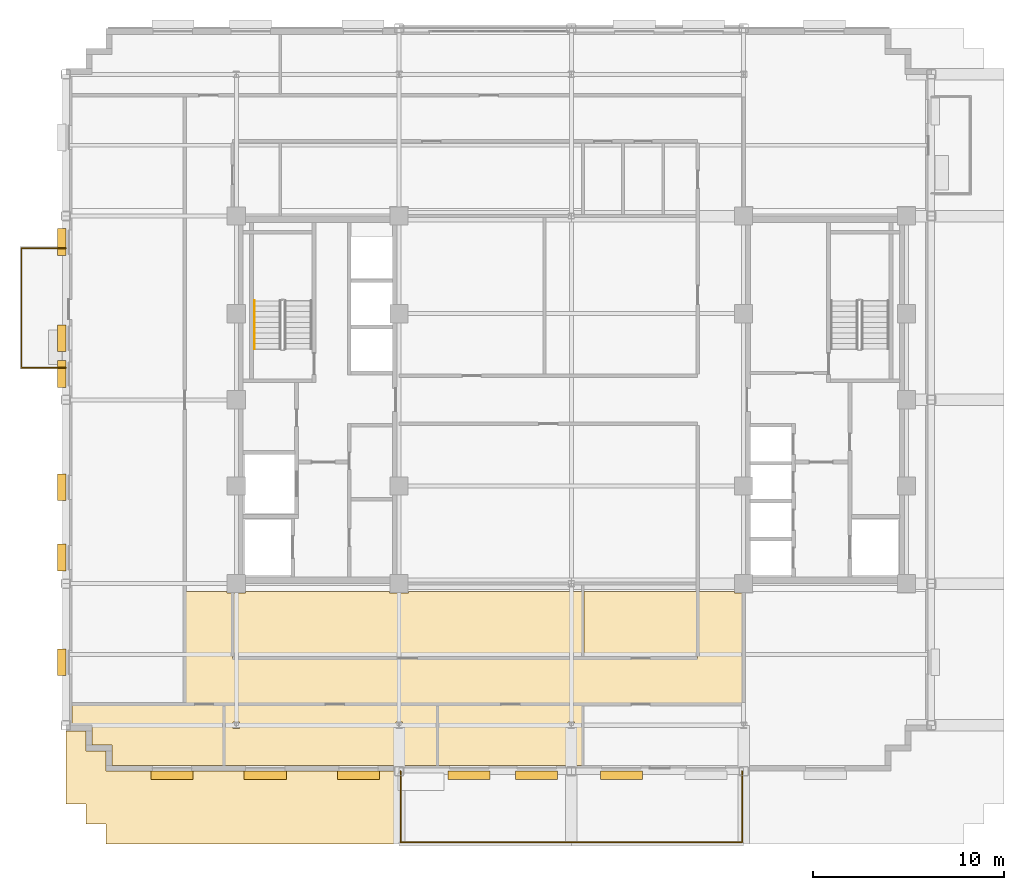
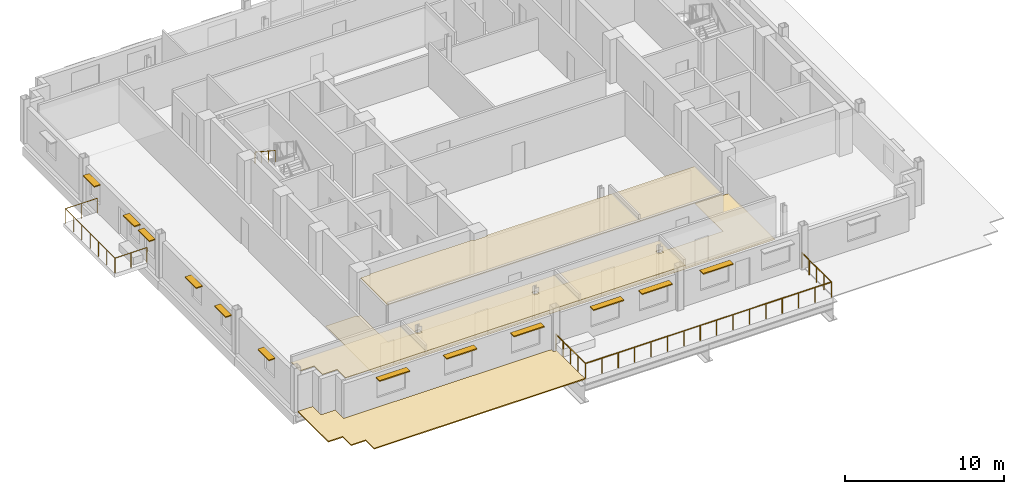
# One storey, part 12 of 16: 12 shading devices, 7 coverings, 3 railings.
"""IFC4 building model written with IfcOpenShell, lengths in metres."""

from ifc_helpers import new_model, si_unit, direction, frame, origin, origin_2d, place, context, subcontext, project, spatial, polyline, rectangle, circle, outline, extrude, source, transform, mapped, material, layer, layer_set, type_object, type_shapes, element, save


model = new_model("IFC4")

# Units and contexts
model_context = context("Model", 3, precision=1e-05, world=origin(), true_north=direction((0.0, 1.0)))
body_context = subcontext(model_context, "Body", "Model", "MODEL_VIEW")
ifc_project = project(units=[si_unit("LENGTHUNIT", "METRE"), si_unit("AREAUNIT", "SQUARE_METRE"), si_unit("VOLUMEUNIT", "CUBIC_METRE"), si_unit("PLANEANGLEUNIT", "RADIAN"), si_unit("MASSUNIT", "GRAM", prefix="KILO")], contexts=[model_context])

# Site, building, storey
site_placement = place(None, origin())
site = spatial("IfcSite", under=ifc_project, at=site_placement, CompositionType="ELEMENT")
building_placement = place(site_placement, origin())
building = spatial("IfcBuilding", under=site, at=building_placement, Name="Nuvemarco Arch Tower", CompositionType="ELEMENT")
storey_placement = place(building_placement, frame((0.0, 0.0, 209.14990234375)))
storey = spatial("IfcBuildingStorey", under=building, at=storey_placement, Name="L55", CompositionType="ELEMENT", Elevation=209.14990234375)

# Coverings
ifc_material_1 = material(Name="Mineral acoustic ceiling tile")
ifc_layer_1 = layer(ifc_material_1, 0.0400390625, Name="COV-ACOUSTIC-CLG")
ifc_layer_set_1 = layer_set([ifc_layer_1], Name="Mineral acoustic ceiling tile")
covering_type_1 = type_object("IfcCoveringType", Name="COV-ACOUSTIC-CLG", PredefinedType="CEILING", material=ifc_layer_set_1)
covering_1_placement = place(storey_placement, frame((0.0, 0.0, 2.85009765625)))
element("IfcCovering", 1, at=covering_1_placement, inside=storey, type_object=covering_type_1, Name="L55 suspended acoustic ceiling 4", PredefinedType="CEILING", context=body_context, shape_type="SweptSolid", body=[
    extrude(outline(polyline([(-9.489990234375, -10.090087890625), (-8.510009765625, -10.090087890625), (-8.510009765625, -10.0), (0.64990234375, -10.0), (0.64990234375, -13.5), (-17.699951171875, -13.5), (-17.699951171875, -10.090087890625), (-17.010009765625, -10.090087890625), (-17.010009765625, -10.0), (-9.489990234375, -10.0), (-9.489990234375, -10.090087890625)])), origin(), (0.0, 0.0, 1.0), 0.0400390625),
])
covering_2_placement = place(storey_placement, frame((0.0, 0.0, 2.85009765625)))
element("IfcCovering", 2, at=covering_2_placement, inside=storey, type_object=covering_type_1, Name="L55 suspended acoustic ceiling 6", PredefinedType="CEILING", context=body_context, shape_type="SweptSolid", body=[
    extrude(outline(polyline([(-6.989990234375, -19.090087890625), (-18.14990234375, -19.090087890625), (-18.14990234375, -15.89990234375), (-17.699951171875, -15.89990234375), (-6.989990234375, -15.89990234375), (-6.989990234375, -19.090087890625)]), holes=[polyline([(-17.330078125, -16.830078125), (-17.669921875, -16.830078125), (-17.669921875, -17.169921875), (-17.330078125, -17.169921875), (-17.330078125, -16.830078125)]), polyline([(-8.830078125, -16.830078125), (-9.169921875, -16.830078125), (-9.169921875, -17.169921875), (-8.830078125, -17.169921875), (-8.830078125, -16.830078125)])]), origin(), (0.0, 0.0, 1.0), 0.0400390625),
])
covering_3_placement = place(storey_placement, frame((0.0, 0.0, 2.85009765625)))
element("IfcCovering", 3, at=covering_3_placement, inside=storey, type_object=covering_type_1, Name="L55 suspended acoustic ceiling 7", PredefinedType="CEILING", context=body_context, shape_type="SweptSolid", body=[
    extrude(outline(polyline([(-6.989990234375, -19.090087890625), (-6.989990234375, -15.89990234375), (0.64990234375, -15.89990234375), (0.64990234375, -19.090087890625), (-6.989990234375, -19.090087890625)]), holes=[polyline([(0.169921875, -17.169921875), (0.169921875, -16.830078125), (-0.169921875, -16.830078125), (-0.169921875, -17.169921875), (0.169921875, -17.169921875)])]), origin(), (0.0, 0.0, 1.0), 0.0400390625),
])
covering_4_placement = place(storey_placement, frame((0.0, 0.0, 2.85009765625)))
element("IfcCovering", 4, at=covering_4_placement, inside=storey, type_object=covering_type_1, Name="L55 suspended acoustic ceiling 8", PredefinedType="CEILING", context=body_context, shape_type="SweptSolid", body=[
    extrude(outline(polyline([(6.60009765625, -13.5), (0.64990234375, -13.5), (0.64990234375, -10.0), (6.60009765625, -10.0), (6.60009765625, -13.5)])), origin(), (0.0, 0.0, 1.0), 0.0400390625),
])
covering_5_placement = place(storey_placement, frame((0.0, 0.0, 2.85009765625)))
element("IfcCovering", 5, at=covering_5_placement, inside=storey, type_object=covering_type_1, Name="L55 suspended acoustic ceiling 9", PredefinedType="CEILING", context=body_context, shape_type="SweptSolid", body=[
    extrude(outline(polyline([(-26.090087890625, -16.989990234375), (-26.090087890625, -15.89990234375), (-20.199951171875, -15.89990234375), (-18.14990234375, -15.89990234375), (-18.14990234375, -19.090087890625), (-23.989990234375, -19.090087890625), (-23.989990234375, -18.0400390625), (-25.0400390625, -18.0400390625), (-25.0400390625, -16.989990234375), (-26.090087890625, -16.989990234375)])), origin(), (0.0, 0.0, 1.0), 0.0400390625),
])
ifc_material_2 = material(Name="Polished granite terrazzostone flooring", Category="masonry")
ifc_layer_2 = layer(ifc_material_2, 0.02001953125, Name="COV-LOBBY-FLR")
ifc_layer_set_2 = layer_set([ifc_layer_2], Name="Polished granite terrazzostone flooring")
covering_type_2 = type_object("IfcCoveringType", Name="COV-LOBBY-FLR", PredefinedType="FLOORING", material=ifc_layer_set_2)
covering_6_placement = place(storey_placement, origin())
element("IfcCovering", 6, at=covering_6_placement, inside=storey, type_object=covering_type_2, Name="L55 polished terrazzo lobby flooring", PredefinedType="FLOORING", context=body_context, shape_type="SweptSolid", body=[
    extrude(outline(polyline([(-20.199951171875, -10.0), (-17.989990234375, -10.0), (-17.989990234375, -10.090087890625), (-17.699951171875, -10.090087890625), (-17.699951171875, -13.5), (6.60009765625, -13.5), (6.60009765625, -10.0), (8.510009765625, -10.0), (8.510009765625, -10.090087890625), (9.0, -10.090087890625), (9.0, -13.5), (9.0, -15.89990234375), (6.60009765625, -15.89990234375), (-17.699951171875, -15.89990234375), (-20.199951171875, -15.89990234375), (-20.199951171875, -13.5), (-20.199951171875, -10.0)])), origin(), (0.0, 0.0, 1.0), 0.02001953125),
])
ifc_material_3 = material(Name="Elastomeric roofing membrane and insulation")
ifc_layer_3 = layer(ifc_material_3, 0.080078125, Name="COV-ROOF-MEMB")
ifc_layer_set_3 = layer_set([ifc_layer_3], Name="Elastomeric roofing membrane and insulation")
covering_type_3 = type_object("IfcCoveringType", Name="COV-ROOF-MEMB", PredefinedType="ROOFING", material=ifc_layer_set_3)
covering_7_placement = place(storey_placement, origin())
element("IfcCovering", 7, at=covering_7_placement, inside=storey, type_object=covering_type_3, Name="L55 setback roof elastomeric membrane and insulation 2", PredefinedType="ROOFING", context=body_context, shape_type="SweptSolid", body=[
    extrude(outline(polyline([(-24.300048828125, -23.199951171875), (-24.300048828125, -22.14990234375), (-25.35009765625, -22.14990234375), (-25.35009765625, -21.10009765625), (-26.39990234375, -21.10009765625), (-26.39990234375, -17.300048828125), (-25.35009765625, -17.300048828125), (-25.35009765625, -18.35009765625), (-24.300048828125, -18.35009765625), (-24.300048828125, -19.39990234375), (-9.260009765625, -19.39990234375), (-9.260009765625, -19.659912109375), (-9.0, -19.659912109375), (-9.0, -23.199951171875), (-24.300048828125, -23.199951171875)])), origin(), (0.0, 0.0, 1.0), 0.080078125),
])

# Railings
ifc_material_4 = material(Name="Brushed stainless steel handrail", Category="steel")
railing_type_1 = type_object("IfcRailingType", Name="RL-HANDRAIL-900", PredefinedType="HANDRAIL", material=ifc_material_4)
railing_1_placement = place(storey_placement, frame((-16.550048828125, 5.169921875, 2.007568359375)))
element("IfcRailing", 8, at=railing_1_placement, inside=storey, type_object=railing_type_1, Name="L55 ST-1 stair handrail 2", PredefinedType="HANDRAIL", context=body_context, shape_type="SweptSolid", body=[
    extrude(circle(Radius=0.02392578125, at=origin_2d()), frame((0.0, 0.0, 0.8759765625), z_axis=(0.0, -0.837749427056, 0.546054848405), x_axis=(1.0, 0.0, 0.0)), (0.0, 0.0, 1.0), 3.008056640625),
    extrude(circle(Radius=0.02099609375, at=origin_2d()), origin(), (0.0, 0.0, 1.0), 0.851806640625),
    extrude(circle(Radius=0.02099609375, at=origin_2d()), frame((0.0, -0.840087890625, 0.547607421875)), (0.0, 0.0, 1.0), 0.851806640625),
    extrude(circle(Radius=0.02099609375, at=origin_2d()), frame((0.0, -1.679931640625, 1.094970703125)), (0.0, 0.0, 1.0), 0.851806640625),
    extrude(circle(Radius=0.02099609375, at=origin_2d()), frame((0.0, -2.52001953125, 1.642578125)), (0.0, 0.0, 1.0), 0.851806640625),
])
ifc_material_5 = material(Name="Dark anodised balustrade steel S355", Category="steel")
railing_type_2 = type_object("IfcRailingType", Name="RL-SETBACK-GUARD", PredefinedType="BALUSTRADE", material=ifc_material_5)
railing_2_placement = place(storey_placement, frame((-8.919921875, -19.39990234375, 0.0)))
element("IfcRailing", 9, at=railing_2_placement, inside=storey, type_object=railing_type_2, Name="L55 setback terrace perimeter balustrade guard", PredefinedType="BALUSTRADE", context=body_context, shape_type="SweptSolid", body=[
    extrude(circle(Radius=0.02392578125, at=origin_2d()), frame((0.0, 0.0, 1.15576171875), z_axis=(0.0, -1.0, 0.0), x_axis=(1.0, 0.0, 0.0)), (0.0, 0.0, 1.0), 3.72021484375),
    extrude(circle(Radius=0.02392578125, at=origin_2d()), frame((0.0, -3.72021484375, 1.15576171875), z_axis=(1.0, 0.0, 0.0), x_axis=(0.0, 1.0, 0.0)), (0.0, 0.0, 1.0), 17.83984375),
    extrude(circle(Radius=0.02392578125, at=origin_2d()), frame((17.83984375, -3.72021484375, 1.15576171875), z_axis=(0.0, 1.0, 0.0), x_axis=(-1.0, 0.0, 0.0)), (0.0, 0.0, 1.0), 3.72021484375),
    extrude(circle(Radius=0.02099609375, at=origin_2d()), origin(), (0.0, 0.0, 1.0), 1.1318359375),
    extrude(circle(Radius=0.02099609375, at=origin_2d()), frame((0.0, -0.93017578125, 0.0)), (0.0, 0.0, 1.0), 1.1318359375),
    extrude(circle(Radius=0.02099609375, at=origin_2d()), frame((0.0, -1.860107421875, 0.0)), (0.0, 0.0, 1.0), 1.1318359375),
    extrude(circle(Radius=0.02099609375, at=origin_2d()), frame((0.0, -2.7900390625, 0.0)), (0.0, 0.0, 1.0), 1.1318359375),
    extrude(circle(Radius=0.02099609375, at=origin_2d()), frame((0.0, -3.72021484375, 0.0)), (0.0, 0.0, 1.0), 1.1318359375),
    extrude(circle(Radius=0.02099609375, at=origin_2d()), frame((1.189208984375, -3.72021484375, 0.0)), (0.0, 0.0, 1.0), 1.1318359375),
    extrude(circle(Radius=0.02099609375, at=origin_2d()), frame((2.378662109375, -3.72021484375, 0.0)), (0.0, 0.0, 1.0), 1.1318359375),
    extrude(circle(Radius=0.02099609375, at=origin_2d()), frame((3.56787109375, -3.72021484375, 0.0)), (0.0, 0.0, 1.0), 1.1318359375),
    extrude(circle(Radius=0.02099609375, at=origin_2d()), frame((4.75732421875, -3.72021484375, 0.0)), (0.0, 0.0, 1.0), 1.1318359375),
    extrude(circle(Radius=0.02099609375, at=origin_2d()), frame((5.946533203125, -3.72021484375, 0.0)), (0.0, 0.0, 1.0), 1.1318359375),
    extrude(circle(Radius=0.02099609375, at=origin_2d()), frame((7.135986328125, -3.72021484375, 0.0)), (0.0, 0.0, 1.0), 1.1318359375),
    extrude(circle(Radius=0.02099609375, at=origin_2d()), frame((8.3251953125, -3.72021484375, 0.0)), (0.0, 0.0, 1.0), 1.1318359375),
    extrude(circle(Radius=0.02099609375, at=origin_2d()), frame((9.5146484375, -3.72021484375, 0.0)), (0.0, 0.0, 1.0), 1.1318359375),
    extrude(circle(Radius=0.02099609375, at=origin_2d()), frame((10.703857421875, -3.72021484375, 0.0)), (0.0, 0.0, 1.0), 1.1318359375),
    extrude(circle(Radius=0.02099609375, at=origin_2d()), frame((11.893310546875, -3.72021484375, 0.0)), (0.0, 0.0, 1.0), 1.1318359375),
    extrude(circle(Radius=0.02099609375, at=origin_2d()), frame((13.08251953125, -3.72021484375, 0.0)), (0.0, 0.0, 1.0), 1.1318359375),
    extrude(circle(Radius=0.02099609375, at=origin_2d()), frame((14.27197265625, -3.72021484375, 0.0)), (0.0, 0.0, 1.0), 1.1318359375),
    extrude(circle(Radius=0.02099609375, at=origin_2d()), frame((15.461181640625, -3.72021484375, 0.0)), (0.0, 0.0, 1.0), 1.1318359375),
    extrude(circle(Radius=0.02099609375, at=origin_2d()), frame((16.650634765625, -3.72021484375, 0.0)), (0.0, 0.0, 1.0), 1.1318359375),
    extrude(circle(Radius=0.02099609375, at=origin_2d()), frame((17.83984375, -3.72021484375, 0.0)), (0.0, 0.0, 1.0), 1.1318359375),
    extrude(circle(Radius=0.02099609375, at=origin_2d()), frame((17.83984375, -2.7900390625, 0.0)), (0.0, 0.0, 1.0), 1.1318359375),
    extrude(circle(Radius=0.02099609375, at=origin_2d()), frame((17.83984375, -1.860107421875, 0.0)), (0.0, 0.0, 1.0), 1.1318359375),
    extrude(circle(Radius=0.02099609375, at=origin_2d()), frame((17.83984375, -0.93017578125, 0.0)), (0.0, 0.0, 1.0), 1.1318359375),
    extrude(circle(Radius=0.02099609375, at=origin_2d()), frame((17.83984375, 0.0, 0.0)), (0.0, 0.0, 1.0), 1.1318359375),
])
railing_type_3 = type_object("IfcRailingType", Name="RL-TERR-GUARD", PredefinedType="BALUSTRADE", material=ifc_material_5)
railing_3_placement = place(storey_placement, frame((-26.39990234375, 1.679931640625, 0.0)))
element("IfcRailing", 10, at=railing_3_placement, inside=storey, type_object=railing_type_3, Name="L55 spiral terrace perimeter balustrade guard", PredefinedType="BALUSTRADE", context=body_context, shape_type="SweptSolid", body=[
    extrude(circle(Radius=0.02392578125, at=origin_2d()), frame((0.0, 0.0, 1.1259765625), z_axis=(-1.0, 0.0, 0.0), x_axis=(0.0, -1.0, 0.0)), (0.0, 0.0, 1.0), 2.320068359375),
    extrude(circle(Radius=0.02392578125, at=origin_2d()), frame((-2.320068359375, 0.0, 1.1259765625), z_axis=(0.0, 1.0, 0.0), x_axis=(-1.0, 0.0, 0.0)), (0.0, 0.0, 1.0), 6.239990234375),
    extrude(circle(Radius=0.02392578125, at=origin_2d()), frame((-2.320068359375, 6.239990234375, 1.1259765625), z_axis=(1.0, 0.0, 0.0), x_axis=(0.0, 1.0, 0.0)), (0.0, 0.0, 1.0), 2.320068359375),
    extrude(circle(Radius=0.02099609375, at=origin_2d()), origin(), (0.0, 0.0, 1.0), 1.101806640625),
    extrude(circle(Radius=0.02099609375, at=origin_2d()), frame((-1.16015625, 0.0, 0.0)), (0.0, 0.0, 1.0), 1.101806640625),
    extrude(circle(Radius=0.02099609375, at=origin_2d()), frame((-2.320068359375, 0.0, 0.0)), (0.0, 0.0, 1.0), 1.101806640625),
    extrude(circle(Radius=0.02099609375, at=origin_2d()), frame((-2.320068359375, 1.0400390625, 0.0)), (0.0, 0.0, 1.0), 1.101806640625),
    extrude(circle(Radius=0.02099609375, at=origin_2d()), frame((-2.320068359375, 2.080078125, 0.0)), (0.0, 0.0, 1.0), 1.101806640625),
    extrude(circle(Radius=0.02099609375, at=origin_2d()), frame((-2.320068359375, 3.1201171875, 0.0)), (0.0, 0.0, 1.0), 1.101806640625),
    extrude(circle(Radius=0.02099609375, at=origin_2d()), frame((-2.320068359375, 4.159912109375, 0.0)), (0.0, 0.0, 1.0), 1.101806640625),
    extrude(circle(Radius=0.02099609375, at=origin_2d()), frame((-2.320068359375, 5.199951171875, 0.0)), (0.0, 0.0, 1.0), 1.101806640625),
    extrude(circle(Radius=0.02099609375, at=origin_2d()), frame((-2.320068359375, 6.239990234375, 0.0)), (0.0, 0.0, 1.0), 1.101806640625),
    extrude(circle(Radius=0.02099609375, at=origin_2d()), frame((-1.16015625, 6.239990234375, 0.0)), (0.0, 0.0, 1.0), 1.101806640625),
    extrude(circle(Radius=0.02099609375, at=origin_2d()), frame((0.0, 6.239990234375, 0.0)), (0.0, 0.0, 1.0), 1.101806640625),
])

# Shading devices
ifc_material_6 = material(Name="Anodised aluminium 6063-T6", Category="aluminium")
shading_device_type_1 = type_object("IfcShadingDeviceType", Name="SHD-BRISE-SOLEIL", PredefinedType="USERDEFINED", material=ifc_material_6)
shared_shape_1 = source(origin(), body_context, "Body", "SweptSolid", [
    extrude(rectangle(XDim=2.199951171875, YDim=0.449951171875, at=origin_2d()), origin(), (0.0, 0.0, 1.0), 0.080078125),
])
type_shapes(shading_device_type_1, [shared_shape_1])
for number, where, z_axis, x_axis, name in (
    (11, (-20.862548828125, -19.614990234375, 2.324951171875), (0.0, 0.0, 1.0), (1.0, 0.0, 0.0), "L55 horizontal brise-soleil sunshade"),
    (12, (-15.987548828125, -19.614990234375, 2.324951171875), (0.0, 0.0, 1.0), (1.0, 0.0, 0.0), "L55 horizontal brise-soleil sunshade"),
    (13, (-11.112548828125, -19.614990234375, 2.324951171875), (0.0, 0.0, 1.0), (1.0, 0.0, 0.0), "L55 horizontal brise-soleil sunshade"),
    (14, (-5.33740234375, -19.614990234375, 2.324951171875), (0.0, 0.0, 1.0), (1.0, 0.0, 0.0), "L55 horizontal brise-soleil sunshade"),
    (15, (-1.8125, -19.614990234375, 2.324951171875), (0.0, 0.0, 1.0), (1.0, 0.0, 0.0), "L55 horizontal brise-soleil sunshade"),
    (16, (2.612548828125, -19.614990234375, 2.324951171875), (0.0, 0.0, 1.0), (1.0, 0.0, 0.0), "L55 horizontal brise-soleil sunshade"),
):
    element("IfcShadingDevice", number, at=place(storey_placement, frame(where, z_axis=z_axis, x_axis=x_axis)), inside=storey, type_object=shading_device_type_1, Name=name, ObjectType="SUNSHADE", PredefinedType="USERDEFINED", context=body_context, shape_type="MappedRepresentation", body=[
        mapped(shared_shape_1, transform((0.0, 0.0, 0.0), scale=1.0)),
    ])
shading_device_type_2 = type_object("IfcShadingDeviceType", Name="SHD-BRISE-NARROW", PredefinedType="USERDEFINED", material=ifc_material_6)
shared_shape_2 = source(origin(), body_context, "Body", "SweptSolid", [
    extrude(rectangle(XDim=1.39990234375, YDim=0.449951171875, at=origin_2d()), origin(), (0.0, 0.0, 1.0), 0.080078125),
])
type_shapes(shading_device_type_2, [shared_shape_2])
for number, where, z_axis, x_axis, name in (
    (17, (-26.614990234375, -13.708984375, 2.324951171875), (0.0, 0.0, 1.0), (0.0, 1.0, 0.0), "L55 horizontal brise-soleil sunshade"),
    (18, (-26.614990234375, -8.239501953125, 2.324951171875), (0.0, 0.0, 1.0), (0.0, 1.0, 0.0), "L55 horizontal brise-soleil sunshade"),
    (19, (-26.614990234375, -4.569580078125, 2.324951171875), (0.0, 0.0, 1.0), (0.0, 1.0, 0.0), "L55 horizontal brise-soleil sunshade"),
    (20, (-26.614990234375, 1.35009765625, 2.324951171875), (0.0, 0.0, 1.0), (0.0, 1.0, 0.0), "L55 horizontal brise-soleil sunshade"),
    (21, (-26.614990234375, 3.2197265625, 2.324951171875), (0.0, 0.0, 1.0), (0.0, 1.0, 0.0), "L55 horizontal brise-soleil sunshade"),
    (22, (-26.614990234375, 8.239501953125, 2.324951171875), (0.0, 0.0, 1.0), (0.0, 1.0, 0.0), "L55 horizontal brise-soleil sunshade"),
):
    element("IfcShadingDevice", number, at=place(storey_placement, frame(where, z_axis=z_axis, x_axis=x_axis)), inside=storey, type_object=shading_device_type_2, Name=name, ObjectType="SUNSHADE", PredefinedType="USERDEFINED", context=body_context, shape_type="MappedRepresentation", body=[
        mapped(shared_shape_2, transform((0.0, 0.0, 0.0), scale=1.0)),
    ])

save(model, "model.ifc")
